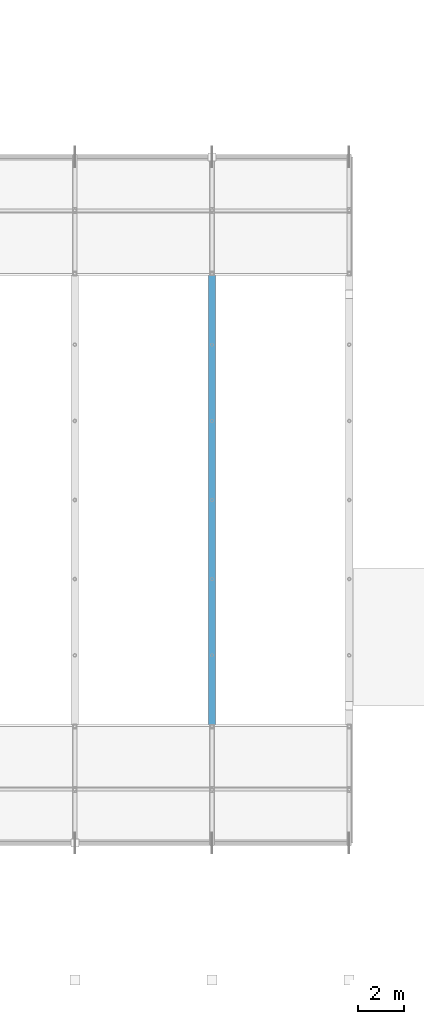
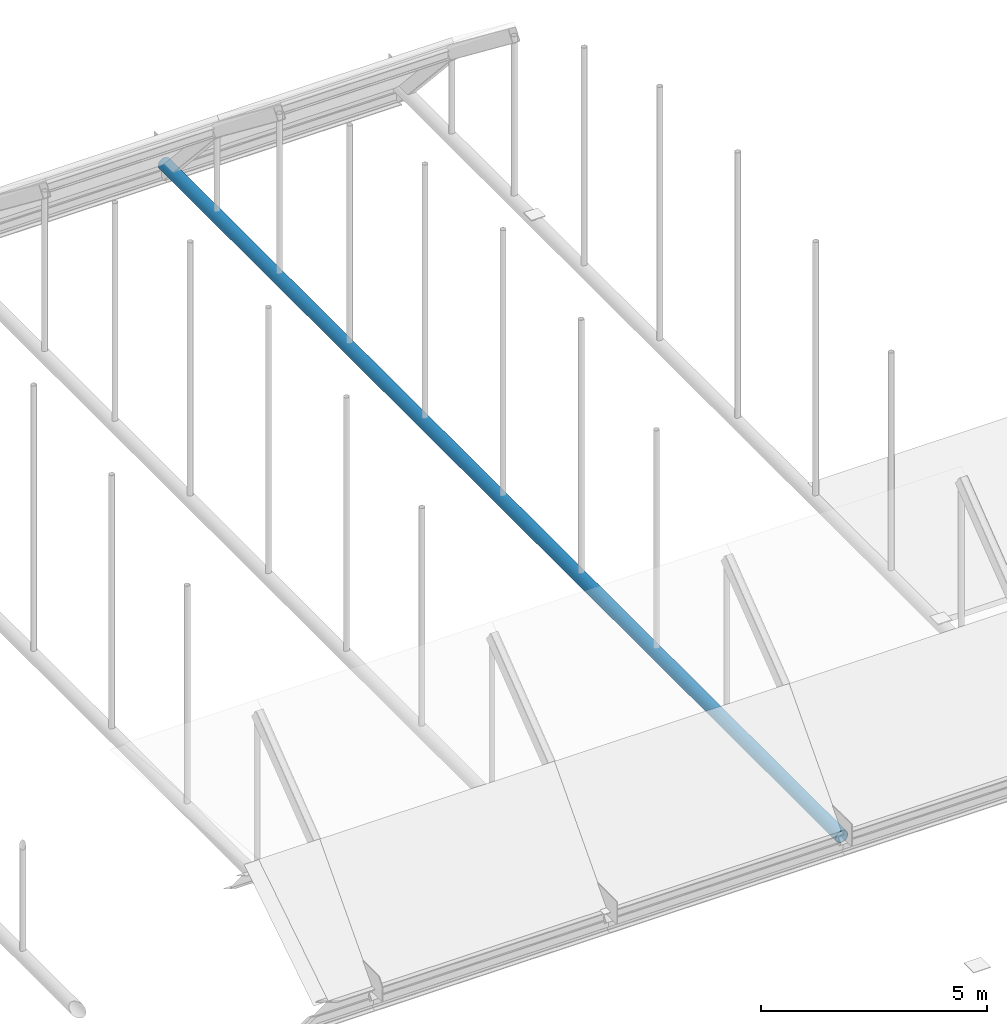
# One storey, part 53 of 116: 1 member.
"""IFC4 building model written with IfcOpenShell, lengths in metres."""

from ifc_helpers import new_model, si_unit, direction, frame, origin, origin_2d, place, context, subcontext, project, spatial, hollow_circle, extrude, material, material_profile, profile_set, type_object, element, save


model = new_model("IFC4")

# Units and contexts
model_context = context("Model", 3, precision=1e-05, world=origin(), true_north=direction((0.0, 1.0)))
body_context = subcontext(model_context, "Body", "Model", "MODEL_VIEW")
ifc_project = project(units=[si_unit("LENGTHUNIT", "METRE"), si_unit("AREAUNIT", "SQUARE_METRE"), si_unit("VOLUMEUNIT", "CUBIC_METRE"), si_unit("PLANEANGLEUNIT", "RADIAN"), si_unit("MASSUNIT", "GRAM", prefix="KILO")], contexts=[model_context])

# Site, building, storey
site_placement = place(None, origin())
site = spatial("IfcSite", under=ifc_project, at=site_placement, CompositionType="ELEMENT")
building_placement = place(site_placement, origin())
building = spatial("IfcBuilding", under=site, at=building_placement, Name="Varnakota Square Police Headquarters", CompositionType="ELEMENT")
storey_placement = place(building_placement, frame((0.0, 0.0, 9.300048828125)))
storey = spatial("IfcBuildingStorey", under=building, at=storey_placement, Name="L02", CompositionType="ELEMENT", Elevation=9.300048828125)

# Member
ifc_material = material(Name="Steel IS 2062 Grade 350", Category="steel")
ifc_material_profile = material_profile(ifc_material, hollow_circle(Radius=0.161865234375, WallThickness=0.0126953125, at=origin_2d()), Name="CHS 323.9x12.7")
ifc_profile_set = profile_set([ifc_material_profile], Name="Steel IS 2062 Grade 350")
member_type = type_object("IfcMemberType", Name="MEM-TIE-CHS273", PredefinedType="CHORD", material=ifc_profile_set)
member_placement = place(storey_placement, frame((90.0, 9.0, -0.150146484375), z_axis=(0.0, 1.0, 0.0), x_axis=(-1.0, 0.0, 0.0)))
element("IfcMember", 1, at=member_placement, inside=storey, type_object=member_type, Name="Barrel vault tie rod V1-R07", PredefinedType="CHORD", context=body_context, shape_type="SweptSolid", body=[
    extrude(hollow_circle(Radius=0.161865234375, WallThickness=0.0126953125, at=origin_2d()), origin(), (0.0, 0.0, 1.0), 30.0),
])

save(model, "model.ifc")
